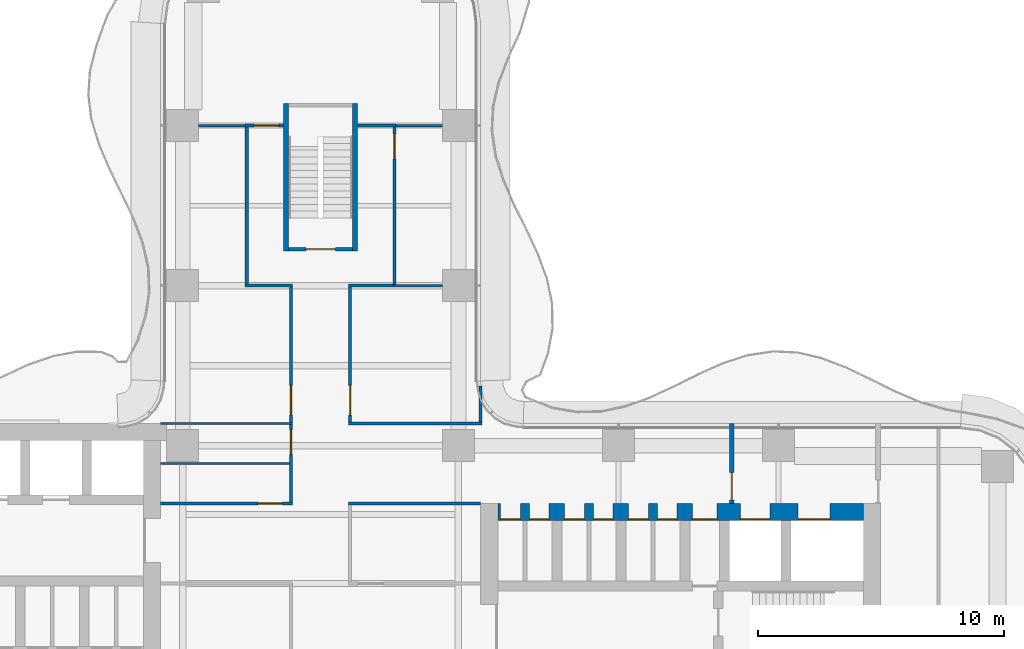
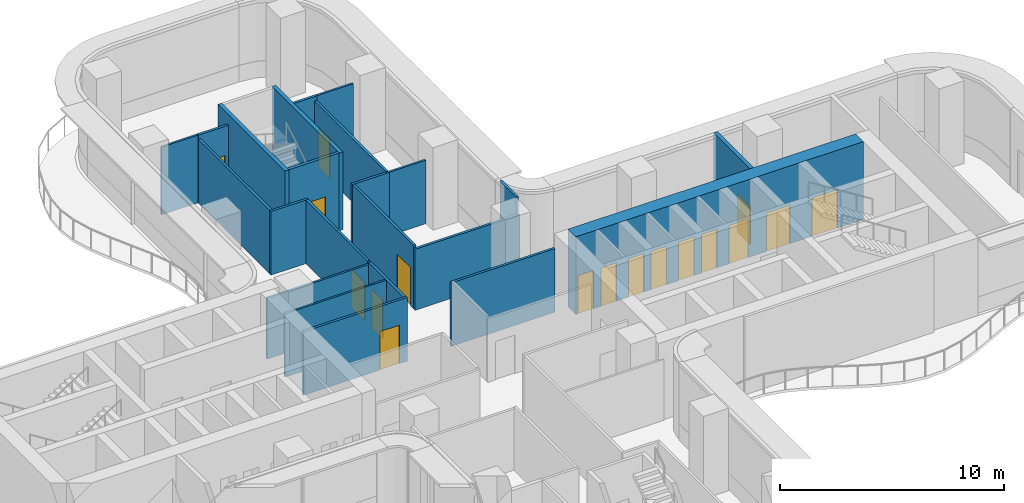
# One storey, part 18 of 21: 23 walls, 17 doors, 17 openings.
"""IFC4 building model written with IfcOpenShell, lengths in metres."""

from ifc_helpers import new_model, si_unit, direction, frame, frame_2d, origin, place, context, subcontext, project, spatial, rectangle, extrude, source, transform, mapped, material, layer, layer_set, type_object, element, fill, save


model = new_model("IFC4")

# Units and contexts
model_context = context("Model", 3, precision=1e-05, world=origin(), true_north=direction((0.0, 1.0)))
body_context = subcontext(model_context, "Body", "Model", "MODEL_VIEW")
ifc_project = project(units=[si_unit("LENGTHUNIT", "METRE"), si_unit("AREAUNIT", "SQUARE_METRE"), si_unit("VOLUMEUNIT", "CUBIC_METRE"), si_unit("PLANEANGLEUNIT", "RADIAN"), si_unit("MASSUNIT", "GRAM", prefix="KILO")], contexts=[model_context])

# Site, building, storey
site_placement = place(None, origin())
site = spatial("IfcSite", under=ifc_project, at=site_placement, CompositionType="ELEMENT")
building_placement = place(site_placement, origin())
building = spatial("IfcBuilding", under=site, at=building_placement, Name="Trellis Farm Tower", CompositionType="ELEMENT")
storey_placement = place(building_placement, frame((0.0, 0.0, 115.5)))
storey = spatial("IfcBuildingStorey", under=building, at=storey_placement, Name="L24", CompositionType="ELEMENT", Elevation=115.5)

# Wall, opening, door
ifc_material_1 = material(Name="Masonry blockwork", Category="masonry")
ifc_layer_1 = layer(ifc_material_1, 0.199951171875)
ifc_layer_set_1 = layer_set([ifc_layer_1], Name="FIRE LOBBY PARTITION 200 BLOCKWORK")
wall_type_1 = type_object("IfcWallType", Name="FIRE LOBBY PARTITION 200 BLOCKWORK", PredefinedType="PARTITIONING", material=ifc_layer_set_1)
shared_shape_1 = source(origin(), body_context, "Body", "SweptSolid", [
    extrude(rectangle(XDim=3.25, YDim=0.199951171875, at=frame_2d((1.625, 0.0))), origin(), (0.0, 0.0, 1.0), 4.25),
])
wall_1_placement = place(storey_placement, frame((16.699951171875, 3.25, 0.0), z_axis=(0.0, 0.0, 1.0), x_axis=(0.0, 1.0, 0.0)))
wall_1 = element("IfcWall", 1, at=wall_1_placement, inside=storey, type_object=wall_type_1, Name="Fire-fighting lobby partition", PredefinedType="PARTITIONING", context=body_context, shape_type="MappedRepresentation", body=[
    mapped(shared_shape_1, transform((0.0, 0.0, 0.0))),
])
shared_shape_2 = source(origin(), body_context, "Body", "SweptSolid", [
    extrude(rectangle(XDim=1.10009765625, YDim=2.10009765625, at=frame_2d((0.550048828125, 1.050048828125))), frame((0.0, 0.110107421875, 0.0), z_axis=(0.0, -1.0, 0.0), x_axis=(1.0, 0.0, 0.0)), (0.0, 0.0, 1.0), 0.22021484375),
])
opening_1_placement = place(wall_1_placement, frame((0.14990234375, 0.0, 0.0)))
opening_1 = element("IfcOpeningElement", 2, at=opening_1_placement, cuts=wall_1, Name="Opening DC7", PredefinedType="OPENING", context=body_context, shape_type="MappedRepresentation", body=[
    mapped(shared_shape_2, transform((0.0, 0.0, 0.0))),
])
ifc_material_2 = material(Name="Steel", Category="steel")
door_type_1 = type_object("IfcDoorType", Name="CORE FIRE DOOR 1100 X 2100", OperationType="NOTDEFINED", PredefinedType="DOOR", material=ifc_material_2)
shared_shape_3 = source(origin(), body_context, "Body", "SweptSolid", [
    extrude(rectangle(XDim=1.10009765625, YDim=2.10009765625, at=frame_2d((0.550048828125, 1.050048828125))), frame((0.0, 0.02490234375, 0.0), z_axis=(0.0, -1.0, 0.0), x_axis=(1.0, 0.0, 0.0)), (0.0, 0.0, 1.0), 0.050048828125),
])
door_1_placement = place(opening_1_placement, origin())
door_1 = element("IfcDoor", 3, at=door_1_placement, inside=storey, type_object=door_type_1, Name="Core door", OperationType="SINGLE_SWING_RIGHT", OverallHeight=2.10009765625, OverallWidth=1.10009765625, PredefinedType="DOOR", context=body_context, shape_type="MappedRepresentation", body=[
    mapped(shared_shape_3, transform((0.0, 0.0, 0.0))),
])
fill(opening_1, door_1)

# Wall, openings, doors
ifc_material_3 = material(Name="Concrete C70/85", Category="concrete")
ifc_layer_2 = layer(ifc_material_3, 0.699951171875)
ifc_layer_set_2 = layer_set([ifc_layer_2], Name="CORE OUTER WALL 700 CONCRETE C70/85")
wall_type_2 = type_object("IfcWallType", Name="CORE OUTER WALL 700 CONCRETE C70/85", PredefinedType="SHEAR", material=ifc_layer_set_2)
shared_shape_4 = source(origin(), body_context, "Body", "SweptSolid", [
    extrude(rectangle(XDim=14.85009765625, YDim=0.699951171875, at=frame_2d((7.425048828125, 0.0))), origin(), (0.0, 0.0, 1.0), 4.25),
])
wall_2_placement = place(storey_placement, frame((7.199951171875, 2.89990234375, 0.0), z_axis=(0.0, 0.0, 1.0), x_axis=(1.0, 0.0, 0.0)))
wall_2 = element("IfcWall", 4, at=wall_2_placement, inside=storey, type_object=wall_type_2, Name="Core wall", PredefinedType="SHEAR", context=body_context, shape_type="MappedRepresentation", body=[
    mapped(shared_shape_4, transform((0.0, 0.0, 0.0))),
])
shared_shape_5 = source(origin(), body_context, "Body", "SweptSolid", [
    extrude(rectangle(XDim=1.300048828125, YDim=2.10009765625, at=frame_2d((0.64990234375, 1.050048828125))), frame((0.0, 0.360107421875, 0.0), z_axis=(0.0, -1.0, 0.0), x_axis=(1.0, 0.0, 0.0)), (0.0, 0.0, 1.0), 0.72021484375),
])
opening_2_placement = place(wall_2_placement, frame((12.199951171875, 0.0, 0.0)))
opening_2 = element("IfcOpeningElement", 5, at=opening_2_placement, cuts=wall_2, Name="Opening LD7", PredefinedType="OPENING", context=body_context, shape_type="MappedRepresentation", body=[
    mapped(shared_shape_5, transform((0.0, 0.0, 0.0))),
])
shared_shape_6 = source(origin(), body_context, "Body", "SweptSolid", [
    extrude(rectangle(XDim=1.199951171875, YDim=2.10009765625, at=frame_2d((0.60009765625, 1.050048828125))), frame((0.0, 0.360107421875, 0.0), z_axis=(0.0, -1.0, 0.0), x_axis=(1.0, 0.0, 0.0)), (0.0, 0.0, 1.0), 0.72021484375),
])
opening_3_placement = place(wall_2_placement, frame((9.85009765625, 0.0, 0.0)))
opening_3 = element("IfcOpeningElement", 6, at=opening_3_placement, cuts=wall_2, Name="Opening LD8", PredefinedType="OPENING", context=body_context, shape_type="MappedRepresentation", body=[
    mapped(shared_shape_6, transform((0.0, 0.0, 0.0))),
])
shared_shape_7 = source(origin(), body_context, "Body", "SweptSolid", [
    extrude(rectangle(XDim=1.0, YDim=2.10009765625, at=frame_2d((0.5, 1.050048828125))), frame((0.0, 0.360107421875, 0.0), z_axis=(0.0, -1.0, 0.0), x_axis=(1.0, 0.0, 0.0)), (0.0, 0.0, 1.0), 0.72021484375),
])
opening_4_placement = place(wall_2_placement, frame((7.89990234375, 0.0, 0.0)))
opening_4 = element("IfcOpeningElement", 7, at=opening_4_placement, cuts=wall_2, Name="Opening DC6", PredefinedType="OPENING", context=body_context, shape_type="MappedRepresentation", body=[
    mapped(shared_shape_7, transform((0.0, 0.0, 0.0))),
])
shared_shape_8 = source(origin(), body_context, "Body", "SweptSolid", [
    extrude(rectangle(XDim=0.800048828125, YDim=2.10009765625, at=frame_2d((0.39990234375, 1.050048828125))), frame((0.0, 0.360107421875, 0.0), z_axis=(0.0, -1.0, 0.0), x_axis=(1.0, 0.0, 0.0)), (0.0, 0.0, 1.0), 0.72021484375),
])
opening_5_placement = place(wall_2_placement, frame((0.112548828125, 0.0, 0.0)))
opening_5 = element("IfcOpeningElement", 8, at=opening_5_placement, cuts=wall_2, Name="Opening DC9", PredefinedType="OPENING", context=body_context, shape_type="MappedRepresentation", body=[
    mapped(shared_shape_8, transform((0.0, 0.0, 0.0))),
])
opening_6_placement = place(wall_2_placement, frame((1.28759765625, 0.0, 0.0)))
opening_6 = element("IfcOpeningElement", 9, at=opening_6_placement, cuts=wall_2, Name="Opening DC16", PredefinedType="OPENING", context=body_context, shape_type="MappedRepresentation", body=[
    mapped(shared_shape_8, transform((0.0, 0.0, 0.0))),
])
opening_7_placement = place(wall_2_placement, frame((2.71240234375, 0.0, 0.0)))
opening_7 = element("IfcOpeningElement", 10, at=opening_7_placement, cuts=wall_2, Name="Opening DC21", PredefinedType="OPENING", context=body_context, shape_type="MappedRepresentation", body=[
    mapped(shared_shape_8, transform((0.0, 0.0, 0.0))),
])
opening_8_placement = place(wall_2_placement, frame((3.887451171875, 0.0, 0.0)))
opening_8 = element("IfcOpeningElement", 11, at=opening_8_placement, cuts=wall_2, Name="Opening DC28", PredefinedType="OPENING", context=body_context, shape_type="MappedRepresentation", body=[
    mapped(shared_shape_8, transform((0.0, 0.0, 0.0))),
])
opening_9_placement = place(wall_2_placement, frame((5.3125, 0.0, 0.0)))
opening_9 = element("IfcOpeningElement", 12, at=opening_9_placement, cuts=wall_2, Name="Opening DC33", PredefinedType="OPENING", context=body_context, shape_type="MappedRepresentation", body=[
    mapped(shared_shape_8, transform((0.0, 0.0, 0.0))),
])
opening_10_placement = place(wall_2_placement, frame((6.487548828125, 0.0, 0.0)))
opening_10 = element("IfcOpeningElement", 13, at=opening_10_placement, cuts=wall_2, Name="Opening DC40", PredefinedType="OPENING", context=body_context, shape_type="MappedRepresentation", body=[
    mapped(shared_shape_8, transform((0.0, 0.0, 0.0))),
])
door_type_2 = type_object("IfcDoorType", Name="CORE FIRE DOOR 1000 X 2100", OperationType="NOTDEFINED", PredefinedType="DOOR", material=ifc_material_2)
shared_shape_9 = source(origin(), body_context, "Body", "SweptSolid", [
    extrude(rectangle(XDim=1.0, YDim=2.10009765625, at=frame_2d((0.5, 1.050048828125))), frame((0.0, -0.27490234375, 0.0), z_axis=(0.0, -1.0, 0.0), x_axis=(1.0, 0.0, 0.0)), (0.0, 0.0, 1.0), 0.050048828125),
])
door_2_placement = place(opening_4_placement, origin())
door_2 = element("IfcDoor", 14, at=door_2_placement, inside=storey, type_object=door_type_2, Name="Core door", OperationType="SINGLE_SWING_LEFT", OverallHeight=2.10009765625, OverallWidth=1.0, PredefinedType="DOOR", context=body_context, shape_type="MappedRepresentation", body=[
    mapped(shared_shape_9, transform((0.0, 0.0, 0.0))),
])
fill(opening_4, door_2)
ifc_material_4 = material(Name="Stainless steel", Category="steel")
door_type_3 = type_object("IfcDoorType", Name="LIFT LANDING DOOR 1300 X 2100", OperationType="DOUBLE_DOOR_SLIDING", PredefinedType="DOOR", material=ifc_material_4)
shared_shape_10 = source(origin(), body_context, "Body", "SweptSolid", [
    extrude(rectangle(XDim=1.300048828125, YDim=2.10009765625, at=frame_2d((0.64990234375, 1.050048828125))), frame((0.0, -0.27490234375, 0.0), z_axis=(0.0, -1.0, 0.0), x_axis=(1.0, 0.0, 0.0)), (0.0, 0.0, 1.0), 0.050048828125),
])
door_3_placement = place(opening_2_placement, origin())
door_3 = element("IfcDoor", 15, at=door_3_placement, inside=storey, type_object=door_type_3, Name="Lift landing door", OperationType="DOUBLE_DOOR_SLIDING", OverallHeight=2.10009765625, OverallWidth=1.300048828125, PredefinedType="DOOR", context=body_context, shape_type="MappedRepresentation", body=[
    mapped(shared_shape_10, transform((0.0, 0.0, 0.0))),
])
fill(opening_2, door_3)
door_type_4 = type_object("IfcDoorType", Name="LIFT LANDING DOOR 1200 X 2100", OperationType="DOUBLE_DOOR_SLIDING", PredefinedType="DOOR", material=ifc_material_4)
shared_shape_11 = source(origin(), body_context, "Body", "SweptSolid", [
    extrude(rectangle(XDim=1.199951171875, YDim=2.10009765625, at=frame_2d((0.60009765625, 1.050048828125))), frame((0.0, -0.27490234375, 0.0), z_axis=(0.0, -1.0, 0.0), x_axis=(1.0, 0.0, 0.0)), (0.0, 0.0, 1.0), 0.050048828125),
])
door_4_placement = place(opening_3_placement, origin())
door_4 = element("IfcDoor", 16, at=door_4_placement, inside=storey, type_object=door_type_4, Name="Lift landing door", OperationType="DOUBLE_DOOR_SLIDING", OverallHeight=2.10009765625, OverallWidth=1.199951171875, PredefinedType="DOOR", context=body_context, shape_type="MappedRepresentation", body=[
    mapped(shared_shape_11, transform((0.0, 0.0, 0.0))),
])
fill(opening_3, door_4)
door_type_5 = type_object("IfcDoorType", Name="CORE FIRE DOOR 800 X 2100", OperationType="NOTDEFINED", PredefinedType="DOOR", material=ifc_material_2)
shared_shape_12 = source(origin(), body_context, "Body", "SweptSolid", [
    extrude(rectangle(XDim=0.800048828125, YDim=2.10009765625, at=frame_2d((0.39990234375, 1.050048828125))), frame((0.0, -0.27490234375, 0.0), z_axis=(0.0, -1.0, 0.0), x_axis=(1.0, 0.0, 0.0)), (0.0, 0.0, 1.0), 0.050048828125),
])
door_5_placement = place(opening_5_placement, origin())
door_5 = element("IfcDoor", 17, at=door_5_placement, inside=storey, type_object=door_type_5, Name="Core door", OperationType="SINGLE_SWING_LEFT", OverallHeight=2.10009765625, OverallWidth=0.800048828125, PredefinedType="DOOR", context=body_context, shape_type="MappedRepresentation", body=[
    mapped(shared_shape_12, transform((0.0, 0.0, 0.0))),
])
fill(opening_5, door_5)
door_6_placement = place(opening_6_placement, origin())
door_6 = element("IfcDoor", 18, at=door_6_placement, inside=storey, type_object=door_type_5, Name="Core door", OperationType="SINGLE_SWING_RIGHT", OverallHeight=2.10009765625, OverallWidth=0.800048828125, PredefinedType="DOOR", context=body_context, shape_type="MappedRepresentation", body=[
    mapped(shared_shape_12, transform((0.0, 0.0, 0.0))),
])
fill(opening_6, door_6)
door_7_placement = place(opening_7_placement, origin())
door_7 = element("IfcDoor", 19, at=door_7_placement, inside=storey, type_object=door_type_5, Name="Core door", OperationType="SINGLE_SWING_LEFT", OverallHeight=2.10009765625, OverallWidth=0.800048828125, PredefinedType="DOOR", context=body_context, shape_type="MappedRepresentation", body=[
    mapped(shared_shape_12, transform((0.0, 0.0, 0.0))),
])
fill(opening_7, door_7)
door_8_placement = place(opening_8_placement, origin())
door_8 = element("IfcDoor", 20, at=door_8_placement, inside=storey, type_object=door_type_5, Name="Core door", OperationType="SINGLE_SWING_RIGHT", OverallHeight=2.10009765625, OverallWidth=0.800048828125, PredefinedType="DOOR", context=body_context, shape_type="MappedRepresentation", body=[
    mapped(shared_shape_12, transform((0.0, 0.0, 0.0))),
])
fill(opening_8, door_8)
door_9_placement = place(opening_9_placement, origin())
door_9 = element("IfcDoor", 21, at=door_9_placement, inside=storey, type_object=door_type_5, Name="Core door", OperationType="SINGLE_SWING_LEFT", OverallHeight=2.10009765625, OverallWidth=0.800048828125, PredefinedType="DOOR", context=body_context, shape_type="MappedRepresentation", body=[
    mapped(shared_shape_12, transform((0.0, 0.0, 0.0))),
])
fill(opening_9, door_9)
door_10_placement = place(opening_10_placement, origin())
door_10 = element("IfcDoor", 22, at=door_10_placement, inside=storey, type_object=door_type_5, Name="Core door", OperationType="SINGLE_SWING_RIGHT", OverallHeight=2.10009765625, OverallWidth=0.800048828125, PredefinedType="DOOR", context=body_context, shape_type="MappedRepresentation", body=[
    mapped(shared_shape_12, transform((0.0, 0.0, 0.0))),
])
fill(opening_10, door_10)

# Walls
ifc_layer_3 = layer(ifc_material_3, 0.199951171875)
ifc_layer_set_3 = layer_set([ifc_layer_3], Name="CORE STAIR ENCLOSURE WALL 200 CONCRETE C70/85")
wall_type_3 = type_object("IfcWallType", Name="CORE STAIR ENCLOSURE WALL 200 CONCRETE C70/85", PredefinedType="SHEAR", material=ifc_layer_set_3)
shared_shape_13 = source(origin(), body_context, "Body", "SweptSolid", [
    extrude(rectangle(XDim=6.0, YDim=0.199951171875, at=frame_2d((3.0, 0.0))), origin(), (0.0, 0.0, 1.0), 4.25),
])
for number, where, z_axis, x_axis, name in (
    (23, (-1.39990234375, 13.5, 0.0), (0.0, 0.0, 1.0), (0.0, 1.0, 0.0), "Stair enclosure wall"),
    (24, (1.39990234375, 13.5, 0.0), (0.0, 0.0, 1.0), (0.0, 1.0, 0.0), "Stair enclosure wall"),
):
    element("IfcWall", number, at=place(storey_placement, frame(where, z_axis=z_axis, x_axis=x_axis)), inside=storey, type_object=wall_type_3, Name=name, PredefinedType="SHEAR", context=body_context, shape_type="MappedRepresentation", body=[
        mapped(shared_shape_13, transform((0.0, 0.0, 0.0))),
    ])

# Wall, opening, door
ifc_layer_4 = layer(ifc_material_3, 0.14990234375)
ifc_layer_set_4 = layer_set([ifc_layer_4], Name="CORE STAIR ENCLOSURE WALL 150 CONCRETE C70/85")
wall_type_4 = type_object("IfcWallType", Name="CORE STAIR ENCLOSURE WALL 150 CONCRETE C70/85", PredefinedType="SHEAR", material=ifc_layer_set_4)
shared_shape_14 = source(origin(), body_context, "Body", "SweptSolid", [
    extrude(rectangle(XDim=2.60009765625, YDim=0.14990234375, at=frame_2d((1.300048828125, 0.0))), origin(), (0.0, 0.0, 1.0), 4.25),
])
wall_3_placement = place(storey_placement, frame((-1.300048828125, 13.574951171875, 0.0), z_axis=(0.0, 0.0, 1.0), x_axis=(1.0, 0.0, 0.0)))
wall_3 = element("IfcWall", 25, at=wall_3_placement, inside=storey, type_object=wall_type_4, Name="Stair enclosure wall", PredefinedType="SHEAR", context=body_context, shape_type="MappedRepresentation", body=[
    mapped(shared_shape_14, transform((0.0, 0.0, 0.0))),
])
shared_shape_15 = source(origin(), body_context, "Body", "SweptSolid", [
    extrude(rectangle(XDim=1.199951171875, YDim=2.10009765625, at=frame_2d((0.60009765625, 1.050048828125))), frame((0.0, 0.0849609375, 0.0), z_axis=(0.0, -1.0, 0.0), x_axis=(1.0, 0.0, 0.0)), (0.0, 0.0, 1.0), 0.169921875),
])
opening_11_placement = place(wall_3_placement, frame((0.699951171875, 0.0, 0.0)))
opening_11 = element("IfcOpeningElement", 26, at=opening_11_placement, cuts=wall_3, Name="Opening DC173", PredefinedType="OPENING", context=body_context, shape_type="MappedRepresentation", body=[
    mapped(shared_shape_15, transform((0.0, 0.0, 0.0))),
])
door_type_6 = type_object("IfcDoorType", Name="CORE FIRE DOOR 1200 X 2100", OperationType="NOTDEFINED", PredefinedType="DOOR", material=ifc_material_2)
shared_shape_16 = source(origin(), body_context, "Body", "SweptSolid", [
    extrude(rectangle(XDim=1.199951171875, YDim=2.10009765625, at=frame_2d((0.60009765625, 1.050048828125))), frame((0.0, 0.02490234375, 0.0), z_axis=(0.0, -1.0, 0.0), x_axis=(1.0, 0.0, 0.0)), (0.0, 0.0, 1.0), 0.050048828125),
])
door_11_placement = place(opening_11_placement, origin())
door_11 = element("IfcDoor", 27, at=door_11_placement, inside=storey, type_object=door_type_6, Name="Core door", OperationType="SINGLE_SWING_LEFT", OverallHeight=2.10009765625, OverallWidth=1.199951171875, PredefinedType="DOOR", context=body_context, shape_type="MappedRepresentation", body=[
    mapped(shared_shape_16, transform((0.0, 0.0, 0.0))),
])
fill(opening_11, door_11)

ifc_material_5 = material(Name="Plasterboard on steel studs, mineral wool", Category="steel")
ifc_layer_5 = layer(ifc_material_5, 0.125)
ifc_layer_set_5 = layer_set([ifc_layer_5], Name="PARTITION 125 STUD EI 60")
wall_type_5 = type_object("IfcWallType", Name="PARTITION 125 STUD EI 60", PredefinedType="PARTITIONING", material=ifc_layer_set_5)
shared_shape_17 = source(origin(), body_context, "Body", "SweptSolid", [
    extrude(rectangle(XDim=5.47509765625, YDim=0.125, at=frame_2d((2.737548828125, 0.0))), origin(), (0.0, 0.0, 1.0), 3.4677734375),
])
wall_4_placement = place(storey_placement, frame((1.199951171875, 12.03759765625, 0.0), z_axis=(0.0, 0.0, 1.0), x_axis=(0.0, -1.0, 0.0)))
wall_4 = element("IfcWall", 28, at=wall_4_placement, inside=storey, type_object=wall_type_5, Name="Partition PW1", PredefinedType="PARTITIONING", context=body_context, shape_type="MappedRepresentation", body=[
    mapped(shared_shape_17, transform((0.0, 0.0, 0.0))),
])
shared_shape_18 = source(origin(), body_context, "Body", "SweptSolid", [
    extrude(rectangle(XDim=1.199951171875, YDim=2.10009765625, at=frame_2d((0.60009765625, 1.050048828125))), frame((0.0, 0.072509765625, 0.0), z_axis=(0.0, -1.0, 0.0), x_axis=(1.0, 0.0, 0.0)), (0.0, 0.0, 1.0), 0.14501953125),
])
opening_12_placement = place(wall_4_placement, frame((3.987548828125, 0.0, 0.0)))
opening_12 = element("IfcOpeningElement", 29, at=opening_12_placement, cuts=wall_4, Name="Opening D602", PredefinedType="OPENING", context=body_context, shape_type="MappedRepresentation", body=[
    mapped(shared_shape_18, transform((0.0, 0.0, 0.0))),
])
ifc_material_6 = material(Name="Fire-rated timber door leaf in a hollow metal frame", Category="wood")
door_type_7 = type_object("IfcDoorType", Name="DOOR 1200x2100 FD30S", OperationType="NOTDEFINED", PredefinedType="DOOR", material=ifc_material_6)
door_12_placement = place(opening_12_placement, origin())
door_12 = element("IfcDoor", 30, at=door_12_placement, inside=storey, type_object=door_type_7, Name="Door D602", OperationType="SINGLE_SWING_RIGHT", OverallHeight=2.10009765625, OverallWidth=1.199951171875, PredefinedType="DOOR", context=body_context, shape_type="MappedRepresentation", body=[
    mapped(shared_shape_16, transform((0.0, 0.0, 0.0))),
])
fill(opening_12, door_12)

# Walls
shared_shape_19 = source(origin(), body_context, "Body", "SweptSolid", [
    extrude(rectangle(XDim=1.468994140625, YDim=0.125, at=frame_2d((0.734375, 0.0))), origin(), (0.0, 0.0, 1.0), 4.25),
])
wall_5_placement = place(storey_placement, frame((6.5, 6.5625, 0.0), z_axis=(0.0, 0.0, 1.0), x_axis=(0.0, 1.0, 0.0)))
element("IfcWall", 31, at=wall_5_placement, inside=storey, type_object=wall_type_5, Name="Partition PW1", PredefinedType="PARTITIONING", context=body_context, shape_type="MappedRepresentation", body=[
    mapped(shared_shape_19, transform((0.0, 0.0, 0.0))),
])
shared_shape_20 = source(origin(), body_context, "Body", "SweptSolid", [
    extrude(rectangle(XDim=1.925048828125, YDim=0.125, at=frame_2d((0.96240234375, 0.0))), origin(), (0.0, 0.0, 1.0), 3.4677734375),
])
for number, where, z_axis, x_axis, name in (
    (32, (-1.137451171875, 12.10009765625, 0.0), (0.0, 0.0, 1.0), (-1.0, 0.0, 0.0), "Partition PW1"),
    (33, (3.0625, 12.10009765625, 0.0), (0.0, 0.0, 1.0), (-1.0, 0.0, 0.0), "Partition PW1"),
):
    element("IfcWall", number, at=place(storey_placement, frame(where, z_axis=z_axis, x_axis=x_axis)), inside=storey, type_object=wall_type_5, Name=name, PredefinedType="PARTITIONING", context=body_context, shape_type="MappedRepresentation", body=[
        mapped(shared_shape_20, transform((0.0, 0.0, 0.0))),
    ])

# Wall, opening, door
shared_shape_21 = source(origin(), body_context, "Body", "SweptSolid", [
    extrude(rectangle(XDim=5.362548828125, YDim=0.125, at=frame_2d((2.68115234375, 0.0))), origin(), (0.0, 0.0, 1.0), 3.4677734375),
])
wall_6_placement = place(storey_placement, frame((-6.5, 3.25, 0.0), z_axis=(0.0, 0.0, 1.0), x_axis=(1.0, 0.0, 0.0)))
wall_6 = element("IfcWall", 34, at=wall_6_placement, inside=storey, type_object=wall_type_5, Name="Partition PW1", PredefinedType="PARTITIONING", context=body_context, shape_type="MappedRepresentation", body=[
    mapped(shared_shape_21, transform((0.0, 0.0, 0.0))),
])
shared_shape_22 = source(origin(), body_context, "Body", "SweptSolid", [
    extrude(rectangle(XDim=1.0, YDim=2.10009765625, at=frame_2d((0.5, 1.050048828125))), frame((0.0, 0.072509765625, 0.0), z_axis=(0.0, -1.0, 0.0), x_axis=(1.0, 0.0, 0.0)), (0.0, 0.0, 1.0), 0.14501953125),
])
opening_13_placement = place(wall_6_placement, frame((3.949951171875, 0.0, 0.0)))
opening_13 = element("IfcOpeningElement", 35, at=opening_13_placement, cuts=wall_6, Name="Opening D105", PredefinedType="OPENING", context=body_context, shape_type="MappedRepresentation", body=[
    mapped(shared_shape_22, transform((0.0, 0.0, 0.0))),
])
door_type_8 = type_object("IfcDoorType", Name="DOOR 1000x2100 FD30S", OperationType="NOTDEFINED", PredefinedType="DOOR", material=ifc_material_6)
shared_shape_23 = source(origin(), body_context, "Body", "SweptSolid", [
    extrude(rectangle(XDim=1.0, YDim=2.10009765625, at=frame_2d((0.5, 1.050048828125))), frame((0.0, 0.02490234375, 0.0), z_axis=(0.0, -1.0, 0.0), x_axis=(1.0, 0.0, 0.0)), (0.0, 0.0, 1.0), 0.050048828125),
])
door_13_placement = place(opening_13_placement, origin())
door_13 = element("IfcDoor", 36, at=door_13_placement, inside=storey, type_object=door_type_8, Name="Door D105", OperationType="SINGLE_SWING_RIGHT", OverallHeight=2.10009765625, OverallWidth=1.0, PredefinedType="DOOR", context=body_context, shape_type="MappedRepresentation", body=[
    mapped(shared_shape_23, transform((0.0, 0.0, 0.0))),
])
fill(opening_13, door_13)

# Walls
wall_7_placement = place(storey_placement, frame((1.137451171875, 3.25, 0.0), z_axis=(0.0, 0.0, 1.0), x_axis=(1.0, 0.0, 0.0)))
element("IfcWall", 37, at=wall_7_placement, inside=storey, type_object=wall_type_5, Name="Partition PW1", PredefinedType="PARTITIONING", context=body_context, shape_type="MappedRepresentation", body=[
    mapped(shared_shape_21, transform((0.0, 0.0, 0.0))),
])
shared_shape_24 = source(origin(), body_context, "Body", "SweptSolid", [
    extrude(rectangle(XDim=5.425048828125, YDim=0.125, at=frame_2d((2.71240234375, 0.0))), origin(), (0.0, 0.0, 1.0), 3.330078125),
])
wall_8_placement = place(storey_placement, frame((1.137451171875, 6.5, 0.0), z_axis=(0.0, 0.0, 1.0), x_axis=(1.0, 0.0, 0.0)))
element("IfcWall", 38, at=wall_8_placement, inside=storey, type_object=wall_type_5, Name="Partition PW1", PredefinedType="PARTITIONING", context=body_context, shape_type="MappedRepresentation", body=[
    mapped(shared_shape_24, transform((0.0, 0.0, 0.0))),
])

# Wall, opening, door
shared_shape_25 = source(origin(), body_context, "Body", "SweptSolid", [
    extrude(rectangle(XDim=6.400146484375, YDim=0.125, at=frame_2d((3.2001953125, 0.0))), origin(), (0.0, 0.0, 1.0), 3.4677734375),
])
wall_9_placement = place(storey_placement, frame((3.0, 18.550048828125, 0.0), z_axis=(0.0, 0.0, 1.0), x_axis=(0.0, -1.0, 0.0)))
wall_9 = element("IfcWall", 39, at=wall_9_placement, inside=storey, type_object=wall_type_5, Name="Partition PW1", PredefinedType="PARTITIONING", context=body_context, shape_type="MappedRepresentation", body=[
    mapped(shared_shape_25, transform((0.0, 0.0, 0.0))),
])
opening_14_placement = place(wall_9_placement, frame((0.300048828125, 0.0, 0.0)))
opening_14 = element("IfcOpeningElement", 40, at=opening_14_placement, cuts=wall_9, Name="Opening D107", PredefinedType="OPENING", context=body_context, shape_type="MappedRepresentation", body=[
    mapped(shared_shape_22, transform((0.0, 0.0, 0.0))),
])
door_14_placement = place(opening_14_placement, origin())
door_14 = element("IfcDoor", 41, at=door_14_placement, inside=storey, type_object=door_type_8, Name="Door D107", OperationType="SINGLE_SWING_LEFT", OverallHeight=2.10009765625, OverallWidth=1.0, PredefinedType="DOOR", context=body_context, shape_type="MappedRepresentation", body=[
    mapped(shared_shape_23, transform((0.0, 0.0, 0.0))),
])
fill(opening_14, door_14)

shared_shape_26 = source(origin(), body_context, "Body", "SweptSolid", [
    extrude(rectangle(XDim=3.137451171875, YDim=0.125, at=frame_2d((1.56884765625, 0.0))), origin(), (0.0, 0.0, 1.0), 3.4677734375),
])
wall_10_placement = place(storey_placement, frame((-1.199951171875, 6.449951171875, 0.0), z_axis=(0.0, 0.0, 1.0), x_axis=(0.0, -1.0, 0.0)))
wall_10 = element("IfcWall", 42, at=wall_10_placement, inside=storey, type_object=wall_type_5, Name="Partition PW1", PredefinedType="PARTITIONING", context=body_context, shape_type="MappedRepresentation", body=[
    mapped(shared_shape_26, transform((0.0, 0.0, 0.0))),
])
opening_15_placement = place(wall_10_placement, frame((0.199951171875, 0.0, 0.0)))
opening_15 = element("IfcOpeningElement", 43, at=opening_15_placement, cuts=wall_10, Name="Opening D106", PredefinedType="OPENING", context=body_context, shape_type="MappedRepresentation", body=[
    mapped(shared_shape_22, transform((0.0, 0.0, 0.0))),
])
door_15_placement = place(opening_15_placement, origin())
door_15 = element("IfcDoor", 44, at=door_15_placement, inside=storey, type_object=door_type_8, Name="Door D106", OperationType="SINGLE_SWING_LEFT", OverallHeight=2.10009765625, OverallWidth=1.0, PredefinedType="DOOR", context=body_context, shape_type="MappedRepresentation", body=[
    mapped(shared_shape_23, transform((0.0, 0.0, 0.0))),
])
fill(opening_15, door_15)

shared_shape_27 = source(origin(), body_context, "Body", "SweptSolid", [
    extrude(rectangle(XDim=5.487548828125, YDim=0.125, at=frame_2d((2.74365234375, 0.0))), origin(), (0.0, 0.0, 1.0), 3.4677734375),
])
wall_11_placement = place(storey_placement, frame((-1.199951171875, 6.550048828125, 0.0), z_axis=(0.0, 0.0, 1.0), x_axis=(0.0, 1.0, 0.0)))
wall_11 = element("IfcWall", 45, at=wall_11_placement, inside=storey, type_object=wall_type_5, Name="Partition PW1", PredefinedType="PARTITIONING", context=body_context, shape_type="MappedRepresentation", body=[
    mapped(shared_shape_27, transform((0.0, 0.0, 0.0))),
])
opening_16_placement = place(wall_11_placement, frame((0.300048828125, 0.0, 0.0)))
opening_16 = element("IfcOpeningElement", 46, at=opening_16_placement, cuts=wall_11, Name="Opening D601", PredefinedType="OPENING", context=body_context, shape_type="MappedRepresentation", body=[
    mapped(shared_shape_18, transform((0.0, 0.0, 0.0))),
])
door_16_placement = place(opening_16_placement, origin())
door_16 = element("IfcDoor", 47, at=door_16_placement, inside=storey, type_object=door_type_7, Name="Door D601", OperationType="SINGLE_SWING_LEFT", OverallHeight=2.10009765625, OverallWidth=1.199951171875, PredefinedType="DOOR", context=body_context, shape_type="MappedRepresentation", body=[
    mapped(shared_shape_16, transform((0.0, 0.0, 0.0))),
])
fill(opening_16, door_16)

# Wall
ifc_material_7 = material(Name="Plasterboard on steel studs", Category="steel")
ifc_layer_6 = layer(ifc_material_7, 0.10009765625)
ifc_layer_set_6 = layer_set([ifc_layer_6], Name="PARTITION 100 STUD EI 30")
wall_type_6 = type_object("IfcWallType", Name="PARTITION 100 STUD EI 30", PredefinedType="PARTITIONING", material=ifc_layer_set_6)
shared_shape_28 = source(origin(), body_context, "Body", "SweptSolid", [
    extrude(rectangle(XDim=5.362548828125, YDim=0.10009765625, at=frame_2d((2.68115234375, 0.0))), origin(), (0.0, 0.0, 1.0), 3.330078125),
])
wall_12_placement = place(storey_placement, frame((-6.5, 6.5, 0.0), z_axis=(0.0, 0.0, 1.0), x_axis=(1.0, 0.0, 0.0)))
element("IfcWall", 48, at=wall_12_placement, inside=storey, type_object=wall_type_6, Name="Partition PW2", PredefinedType="PARTITIONING", context=body_context, shape_type="MappedRepresentation", body=[
    mapped(shared_shape_28, transform((0.0, 0.0, 0.0))),
])

# Wall, opening, door
shared_shape_29 = source(origin(), body_context, "Body", "SweptSolid", [
    extrude(rectangle(XDim=1.5625, YDim=0.125, at=frame_2d((0.78125, 0.0))), origin(), (0.0, 0.0, 1.0), 3.697021484375),
])
wall_13_placement = place(storey_placement, frame((-3.0625, 18.60009765625, 0.0), z_axis=(0.0, 0.0, 1.0), x_axis=(1.0, 0.0, 0.0)))
wall_13 = element("IfcWall", 49, at=wall_13_placement, inside=storey, type_object=wall_type_5, Name="Partition PW1", PredefinedType="PARTITIONING", context=body_context, shape_type="MappedRepresentation", body=[
    mapped(shared_shape_29, transform((0.0, 0.0, 0.0))),
])
opening_17_placement = place(wall_13_placement, frame((0.362548828125, 0.0, 0.0)))
opening_17 = element("IfcOpeningElement", 50, at=opening_17_placement, cuts=wall_13, Name="Opening D108", PredefinedType="OPENING", context=body_context, shape_type="MappedRepresentation", body=[
    mapped(shared_shape_22, transform((0.0, 0.0, 0.0))),
])
door_17_placement = place(opening_17_placement, origin())
door_17 = element("IfcDoor", 51, at=door_17_placement, inside=storey, type_object=door_type_8, Name="Door D108", OperationType="SINGLE_SWING_RIGHT", OverallHeight=2.10009765625, OverallWidth=1.0, PredefinedType="DOOR", context=body_context, shape_type="MappedRepresentation", body=[
    mapped(shared_shape_23, transform((0.0, 0.0, 0.0))),
])
fill(opening_17, door_17)

# Walls
wall_14_placement = place(storey_placement, frame((1.5, 18.60009765625, 0.0), z_axis=(0.0, 0.0, 1.0), x_axis=(1.0, 0.0, 0.0)))
element("IfcWall", 52, at=wall_14_placement, inside=storey, type_object=wall_type_5, Name="Partition PW1", PredefinedType="PARTITIONING", context=body_context, shape_type="MappedRepresentation", body=[
    mapped(shared_shape_29, transform((0.0, 0.0, 0.0))),
])
shared_shape_30 = source(origin(), body_context, "Body", "SweptSolid", [
    extrude(rectangle(XDim=6.387451171875, YDim=0.125, at=frame_2d((3.19384765625, 0.0))), origin(), (0.0, 0.0, 1.0), 3.4677734375),
])
wall_15_placement = place(storey_placement, frame((-3.0, 12.16259765625, 0.0), z_axis=(0.0, 0.0, 1.0), x_axis=(0.0, 1.0, 0.0)))
element("IfcWall", 53, at=wall_15_placement, inside=storey, type_object=wall_type_5, Name="Partition PW1", PredefinedType="PARTITIONING", context=body_context, shape_type="MappedRepresentation", body=[
    mapped(shared_shape_30, transform((0.0, 0.0, 0.0))),
])
shared_shape_31 = source(origin(), body_context, "Body", "SweptSolid", [
    extrude(rectangle(XDim=2.012451171875, YDim=0.10009765625, at=frame_2d((1.00634765625, 0.0))), origin(), (0.0, 0.0, 1.0), 3.697021484375),
])
for number, where, z_axis, x_axis, name in (
    (54, (-4.949951171875, 18.60009765625, 0.0), (0.0, 0.0, 1.0), (1.0, 0.0, 0.0), "Partition PW2"),
    (55, (2.9375, 18.60009765625, 0.0), (0.0, 0.0, 1.0), (1.0, 0.0, 0.0), "Partition PW2"),
):
    element("IfcWall", number, at=place(storey_placement, frame(where, z_axis=z_axis, x_axis=x_axis)), inside=storey, type_object=wall_type_6, Name=name, PredefinedType="PARTITIONING", context=body_context, shape_type="MappedRepresentation", body=[
        mapped(shared_shape_31, transform((0.0, 0.0, 0.0))),
    ])
shared_shape_32 = source(origin(), body_context, "Body", "SweptSolid", [
    extrude(rectangle(XDim=5.237548828125, YDim=0.10009765625, at=frame_2d((2.61865234375, 0.0))), origin(), (0.0, 0.0, 1.0), 3.4677734375),
])
wall_16_placement = place(storey_placement, frame((-6.5, 4.875, 0.0), z_axis=(0.0, 0.0, 1.0), x_axis=(1.0, 0.0, 0.0)))
element("IfcWall", 56, at=wall_16_placement, inside=storey, type_object=wall_type_6, Name="Partition PW2", PredefinedType="PARTITIONING", context=body_context, shape_type="MappedRepresentation", body=[
    mapped(shared_shape_32, transform((0.0, 0.0, 0.0))),
])
shared_shape_33 = source(origin(), body_context, "Body", "SweptSolid", [
    extrude(rectangle(XDim=2.012451171875, YDim=0.10009765625, at=frame_2d((1.00634765625, 0.0))), origin(), (0.0, 0.0, 1.0), 3.4677734375),
])
wall_17_placement = place(storey_placement, frame((2.9375, 12.10009765625, 0.0), z_axis=(0.0, 0.0, 1.0), x_axis=(1.0, 0.0, 0.0)))
element("IfcWall", 57, at=wall_17_placement, inside=storey, type_object=wall_type_6, Name="Partition PW2", PredefinedType="PARTITIONING", context=body_context, shape_type="MappedRepresentation", body=[
    mapped(shared_shape_33, transform((0.0, 0.0, 0.0))),
])

save(model, "model.ifc")
